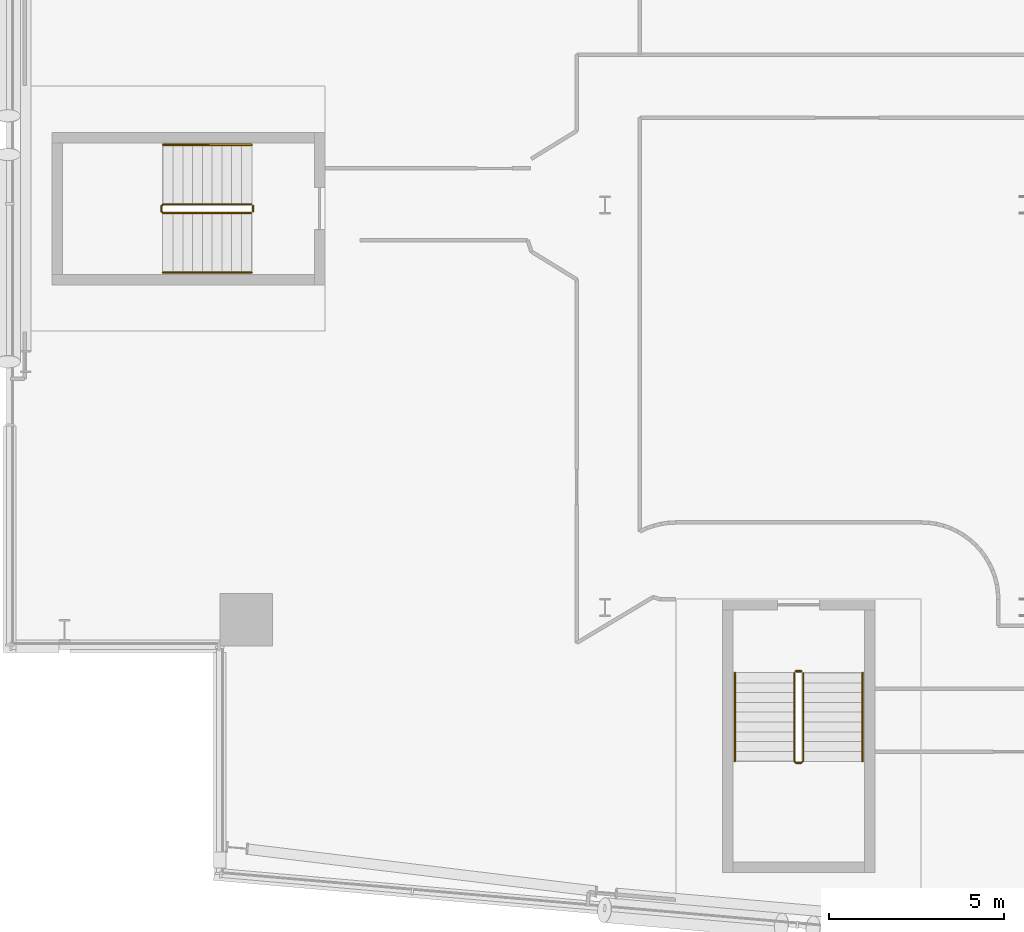
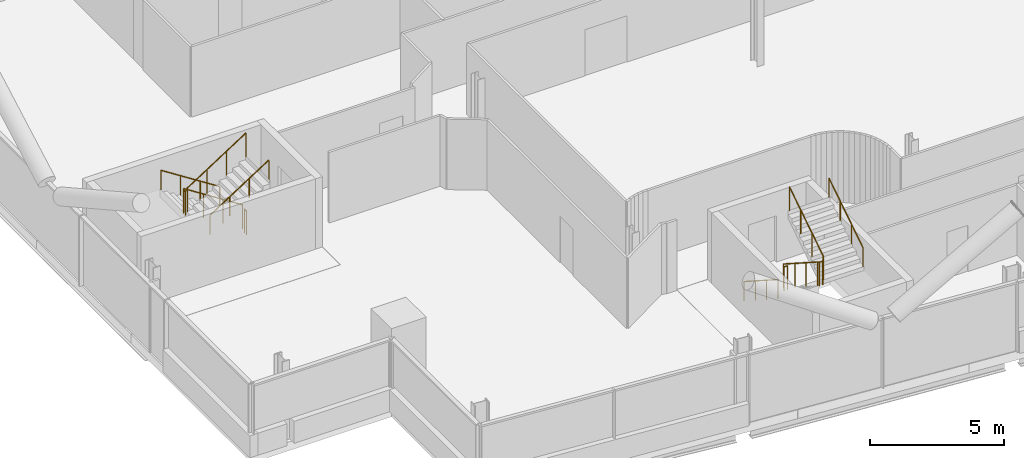
# One storey, part 25 of 27: 8 railings.
"""IFC4 building model written with IfcOpenShell, lengths in metres."""

from ifc_helpers import new_model, si_unit, direction, frame, origin, origin_2d, place, context, subcontext, project, spatial, circle, extrude, material, type_object, element, save


model = new_model("IFC4")

# Units and contexts
model_context = context("Model", 3, precision=1e-05, world=origin(), true_north=direction((0.0, 1.0)))
body_context = subcontext(model_context, "Body", "Model", "MODEL_VIEW")
ifc_project = project(units=[si_unit("LENGTHUNIT", "METRE"), si_unit("AREAUNIT", "SQUARE_METRE"), si_unit("VOLUMEUNIT", "CUBIC_METRE"), si_unit("PLANEANGLEUNIT", "RADIAN"), si_unit("MASSUNIT", "GRAM", prefix="KILO")], contexts=[model_context])

# Site, building, storey
site_placement = place(None, origin())
site = spatial("IfcSite", under=ifc_project, at=site_placement, CompositionType="ELEMENT")
building_placement = place(site_placement, origin())
building = spatial("IfcBuilding", under=site, at=building_placement, Name="Wharfspan Tower", CompositionType="ELEMENT")
storey_placement = place(building_placement, frame((0.0, 0.0, 159.100098)))
storey = spatial("IfcBuildingStorey", under=building, at=storey_placement, Name="L38", CompositionType="ELEMENT", Elevation=159.100098)

# Railings
ifc_material = material(Name="Steel S355J2", Category="steel")
railing_type_1 = type_object("IfcRailingType", Name="Stair guard 1100", PredefinedType="GUARDRAIL", material=ifc_material)
railing_1_placement = place(storey_placement, frame((13.899902, 23.024902, 0.179932)))
element("IfcRailing", 1, at=railing_1_placement, inside=storey, type_object=railing_type_1, Name="L38 ST3 stair guard 1", PredefinedType="GUARDRAIL", context=body_context, shape_type="SweptSolid", body=[
    extrude(circle(Radius=0.023926, at=origin_2d()), frame((0.0, 0.0, 1.076172), z_axis=(-0.8412, 0.0, 0.540725), x_axis=(0.0, -1.0, 0.0)), (0.0, 0.0, 1.0), 2.99585),
    extrude(circle(Radius=0.023926, at=origin_2d()), frame((-2.52002, 0.0, 2.695801), z_axis=(-0.707107, -0.707107, 0.0), x_axis=(0.707107, -0.707107, 0.0)), (0.0, 0.0, 1.0), 0.070312),
    extrude(circle(Radius=0.023926, at=origin_2d()), frame((-2.569824, -0.049805, 2.695801), z_axis=(0.0, -1.0, 0.0), x_axis=(1.0, 0.0, 0.0)), (0.0, 0.0, 1.0), 0.150146),
    extrude(circle(Radius=0.023926, at=origin_2d()), frame((-2.569824, -0.199951, 2.695801), z_axis=(0.257366, -0.258628, 0.931061), x_axis=(0.708838, 0.705372, -2e-06)), (0.0, 0.0, 1.0), 0.193604),
    extrude(circle(Radius=0.023926, at=origin_2d()), frame((-2.52002, -0.25, 2.875977), z_axis=(0.8412, 0.0, 0.540725), x_axis=(0.0, 1.0, 0.0)), (0.0, 0.0, 1.0), 2.99585),
    extrude(circle(Radius=0.020996, at=origin_2d()), origin(), (0.0, 0.0, 1.0), 1.052002),
    extrude(circle(Radius=0.020996, at=origin_2d()), frame((-0.840088, 0.0, 0.540039)), (0.0, 0.0, 1.0), 1.052002),
    extrude(circle(Radius=0.020996, at=origin_2d()), frame((-1.679932, 0.0, 1.079834)), (0.0, 0.0, 1.0), 1.052002),
    extrude(circle(Radius=0.020996, at=origin_2d()), frame((-2.52002, 0.0, 1.619873)), (0.0, 0.0, 1.0), 1.052002),
    extrude(circle(Radius=0.020996, at=origin_2d()), frame((-2.569824, -0.049805, 1.619873)), (0.0, 0.0, 1.0), 1.052002),
    extrude(circle(Radius=0.020996, at=origin_2d()), frame((-2.569824, -0.199951, 1.619873)), (0.0, 0.0, 1.0), 1.052002),
    extrude(circle(Radius=0.020996, at=origin_2d()), frame((-2.52002, -0.25, 1.800049)), (0.0, 0.0, 1.0), 1.052002),
    extrude(circle(Radius=0.020996, at=origin_2d()), frame((-1.679932, -0.25, 2.340088)), (0.0, 0.0, 1.0), 1.052002),
    extrude(circle(Radius=0.020996, at=origin_2d()), frame((-0.840088, -0.25, 2.879883)), (0.0, 0.0, 1.0), 1.052002),
    extrude(circle(Radius=0.020996, at=origin_2d()), frame((0.0, -0.25, 3.419922)), (0.0, 0.0, 1.0), 1.052002),
])
railing_2_placement = place(storey_placement, frame((13.949951, 22.975098, 0.0)))
element("IfcRailing", 2, at=railing_2_placement, inside=storey, type_object=railing_type_1, Name="L38 ST3 stair guard 2", PredefinedType="GUARDRAIL", context=body_context, shape_type="SweptSolid", body=[
    extrude(circle(Radius=0.023926, at=origin_2d()), frame((0.0, 0.0, 1.076172), z_axis=(0.0, -1.0, 0.0), x_axis=(1.0, 0.0, 0.0)), (0.0, 0.0, 1.0), 0.150146),
    extrude(circle(Radius=0.020996, at=origin_2d()), origin(), (0.0, 0.0, 1.0), 1.052002),
    extrude(circle(Radius=0.020996, at=origin_2d()), frame((0.0, -0.150146, 0.0)), (0.0, 0.0, 1.0), 1.052002),
])
railing_3_placement = place(storey_placement, frame((29.414307, 9.634277, 0.179932)))
element("IfcRailing", 3, at=railing_3_placement, inside=storey, type_object=railing_type_1, Name="L38 ST4 stair guard 1", PredefinedType="GUARDRAIL", context=body_context, shape_type="SweptSolid", body=[
    extrude(circle(Radius=0.023926, at=origin_2d()), frame((0.0, 0.0, 1.076172), z_axis=(0.0, -0.8412, 0.540725), x_axis=(1.0, 0.0, 0.0)), (0.0, 0.0, 1.0), 2.99585),
    extrude(circle(Radius=0.023926, at=origin_2d()), frame((0.0, -2.52002, 2.695801), z_axis=(0.705376, -0.708834, 0.0), x_axis=(0.708834, 0.705376, 0.0)), (0.0, 0.0, 1.0), 0.070557),
    extrude(circle(Radius=0.023926, at=origin_2d()), frame((0.049805, -2.570068, 2.695801), z_axis=(1.0, 0.0, 0.0), x_axis=(0.0, 1.0, 0.0)), (0.0, 0.0, 1.0), 0.150146),
    extrude(circle(Radius=0.023926, at=origin_2d()), frame((0.199951, -2.570068, 2.695801), z_axis=(0.258544, 0.258544, 0.930758), x_axis=(-0.707107, 0.707107, 0.0)), (0.0, 0.0, 1.0), 0.193604),
    extrude(circle(Radius=0.023926, at=origin_2d()), frame((0.25, -2.52002, 2.875977), z_axis=(0.0, 0.8412, 0.540725), x_axis=(-1.0, 0.0, 0.0)), (0.0, 0.0, 1.0), 2.99585),
    extrude(circle(Radius=0.020996, at=origin_2d()), origin(), (0.0, 0.0, 1.0), 1.052002),
    extrude(circle(Radius=0.020996, at=origin_2d()), frame((0.0, -0.840088, 0.540039)), (0.0, 0.0, 1.0), 1.052002),
    extrude(circle(Radius=0.020996, at=origin_2d()), frame((0.0, -1.679932, 1.079834)), (0.0, 0.0, 1.0), 1.052002),
    extrude(circle(Radius=0.020996, at=origin_2d()), frame((0.0, -2.52002, 1.619873)), (0.0, 0.0, 1.0), 1.052002),
    extrude(circle(Radius=0.020996, at=origin_2d()), frame((0.049805, -2.570068, 1.619873)), (0.0, 0.0, 1.0), 1.052002),
    extrude(circle(Radius=0.020996, at=origin_2d()), frame((0.199951, -2.570068, 1.619873)), (0.0, 0.0, 1.0), 1.052002),
    extrude(circle(Radius=0.020996, at=origin_2d()), frame((0.25, -2.52002, 1.800049)), (0.0, 0.0, 1.0), 1.052002),
    extrude(circle(Radius=0.020996, at=origin_2d()), frame((0.25, -1.679932, 2.340088)), (0.0, 0.0, 1.0), 1.052002),
    extrude(circle(Radius=0.020996, at=origin_2d()), frame((0.25, -0.840088, 2.879883)), (0.0, 0.0, 1.0), 1.052002),
    extrude(circle(Radius=0.020996, at=origin_2d()), frame((0.25, 0.0, 3.419922)), (0.0, 0.0, 1.0), 1.052002),
])
railing_4_placement = place(storey_placement, frame((29.464111, 9.684326, 0.0)))
element("IfcRailing", 4, at=railing_4_placement, inside=storey, type_object=railing_type_1, Name="L38 ST4 stair guard 2", PredefinedType="GUARDRAIL", context=body_context, shape_type="SweptSolid", body=[
    extrude(circle(Radius=0.023926, at=origin_2d()), frame((0.0, 0.0, 1.076172), z_axis=(1.0, 0.0, 0.0), x_axis=(0.0, 1.0, 0.0)), (0.0, 0.0, 1.0), 0.150146),
    extrude(circle(Radius=0.020996, at=origin_2d()), origin(), (0.0, 0.0, 1.0), 1.052002),
    extrude(circle(Radius=0.020996, at=origin_2d()), frame((0.150146, 0.0, 0.0)), (0.0, 0.0, 1.0), 1.052002),
])
railing_type_2 = type_object("IfcRailingType", Name="Stair handrail 900", PredefinedType="HANDRAIL", material=ifc_material)
railing_5_placement = place(storey_placement, frame((13.899902, 24.725098, 0.179932)))
element("IfcRailing", 5, at=railing_5_placement, inside=storey, type_object=railing_type_2, Name="L38 ST3 stair handrail 1", PredefinedType="HANDRAIL", context=body_context, shape_type="SweptSolid", body=[
    extrude(circle(Radius=0.023926, at=origin_2d()), frame((0.0, 0.0, 0.875977), z_axis=(-0.8412, 0.0, 0.540725), x_axis=(0.0, -1.0, 0.0)), (0.0, 0.0, 1.0), 2.99585),
    extrude(circle(Radius=0.020996, at=origin_2d()), origin(), (0.0, 0.0, 1.0), 0.851807),
    extrude(circle(Radius=0.020996, at=origin_2d()), frame((-0.840088, 0.0, 0.540039)), (0.0, 0.0, 1.0), 0.851807),
    extrude(circle(Radius=0.020996, at=origin_2d()), frame((-1.679932, 0.0, 1.079834)), (0.0, 0.0, 1.0), 0.851807),
    extrude(circle(Radius=0.020996, at=origin_2d()), frame((-2.52002, 0.0, 1.619873)), (0.0, 0.0, 1.0), 0.851807),
])
railing_6_placement = place(storey_placement, frame((11.379883, 21.074951, 1.97998)))
element("IfcRailing", 6, at=railing_6_placement, inside=storey, type_object=railing_type_2, Name="L38 ST3 stair handrail 2", PredefinedType="HANDRAIL", context=body_context, shape_type="SweptSolid", body=[
    extrude(circle(Radius=0.023926, at=origin_2d()), frame((0.0, 0.0, 0.875977), z_axis=(0.8412, 0.0, 0.540725), x_axis=(0.0, 1.0, 0.0)), (0.0, 0.0, 1.0), 2.99585),
    extrude(circle(Radius=0.020996, at=origin_2d()), origin(), (0.0, 0.0, 1.0), 0.851807),
    extrude(circle(Radius=0.020996, at=origin_2d()), frame((0.840088, 0.0, 0.540039)), (0.0, 0.0, 1.0), 0.851807),
    extrude(circle(Radius=0.020996, at=origin_2d()), frame((1.679932, 0.0, 1.079834)), (0.0, 0.0, 1.0), 0.851807),
    extrude(circle(Radius=0.020996, at=origin_2d()), frame((2.52002, 0.0, 1.619873)), (0.0, 0.0, 1.0), 0.851807),
])
railing_7_placement = place(storey_placement, frame((27.714111, 9.634277, 0.179932)))
element("IfcRailing", 7, at=railing_7_placement, inside=storey, type_object=railing_type_2, Name="L38 ST4 stair handrail 1", PredefinedType="HANDRAIL", context=body_context, shape_type="SweptSolid", body=[
    extrude(circle(Radius=0.023926, at=origin_2d()), frame((0.0, 0.0, 0.875977), z_axis=(0.0, -0.8412, 0.540725), x_axis=(1.0, 0.0, 0.0)), (0.0, 0.0, 1.0), 2.99585),
    extrude(circle(Radius=0.020996, at=origin_2d()), origin(), (0.0, 0.0, 1.0), 0.851807),
    extrude(circle(Radius=0.020996, at=origin_2d()), frame((0.0, -0.840088, 0.540039)), (0.0, 0.0, 1.0), 0.851807),
    extrude(circle(Radius=0.020996, at=origin_2d()), frame((0.0, -1.679932, 1.079834)), (0.0, 0.0, 1.0), 0.851807),
    extrude(circle(Radius=0.020996, at=origin_2d()), frame((0.0, -2.52002, 1.619873)), (0.0, 0.0, 1.0), 0.851807),
])
railing_8_placement = place(storey_placement, frame((31.364258, 7.114258, 1.97998)))
element("IfcRailing", 8, at=railing_8_placement, inside=storey, type_object=railing_type_2, Name="L38 ST4 stair handrail 2", PredefinedType="HANDRAIL", context=body_context, shape_type="SweptSolid", body=[
    extrude(circle(Radius=0.023926, at=origin_2d()), frame((0.0, 0.0, 0.875977), z_axis=(0.0, 0.8412, 0.540725), x_axis=(-1.0, 0.0, 0.0)), (0.0, 0.0, 1.0), 2.99585),
    extrude(circle(Radius=0.020996, at=origin_2d()), origin(), (0.0, 0.0, 1.0), 0.851807),
    extrude(circle(Radius=0.020996, at=origin_2d()), frame((0.0, 0.840088, 0.540039)), (0.0, 0.0, 1.0), 0.851807),
    extrude(circle(Radius=0.020996, at=origin_2d()), frame((0.0, 1.679932, 1.079834)), (0.0, 0.0, 1.0), 0.851807),
    extrude(circle(Radius=0.020996, at=origin_2d()), frame((0.0, 2.52002, 1.619873)), (0.0, 0.0, 1.0), 0.851807),
])

save(model, "model.ifc")
